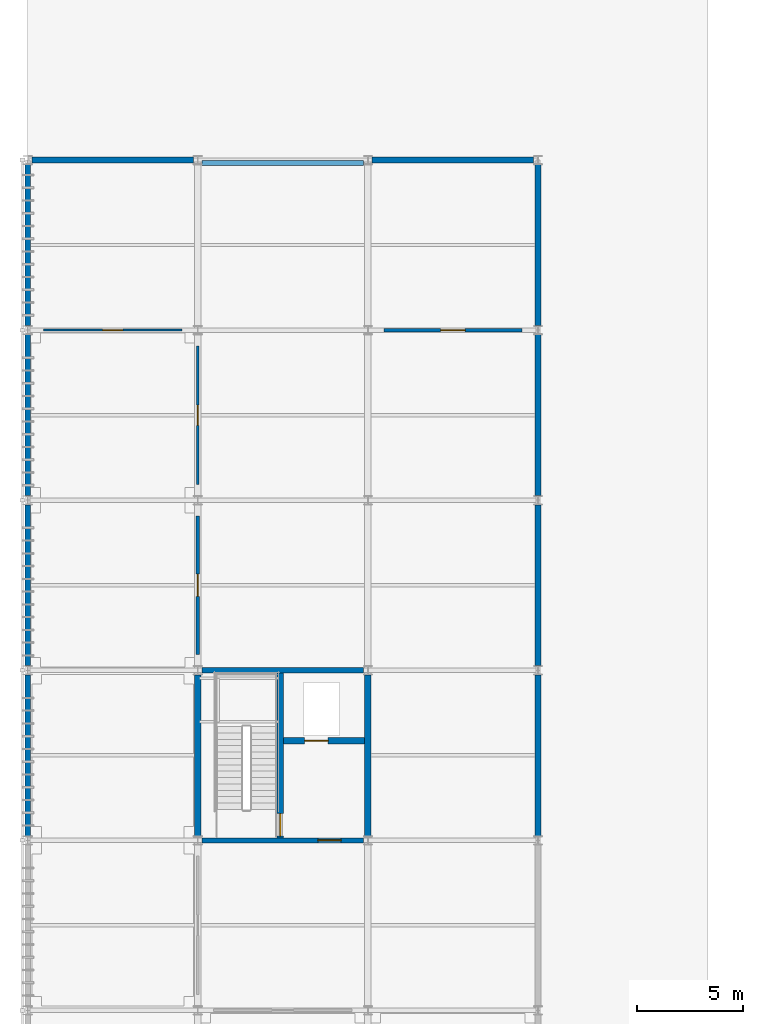
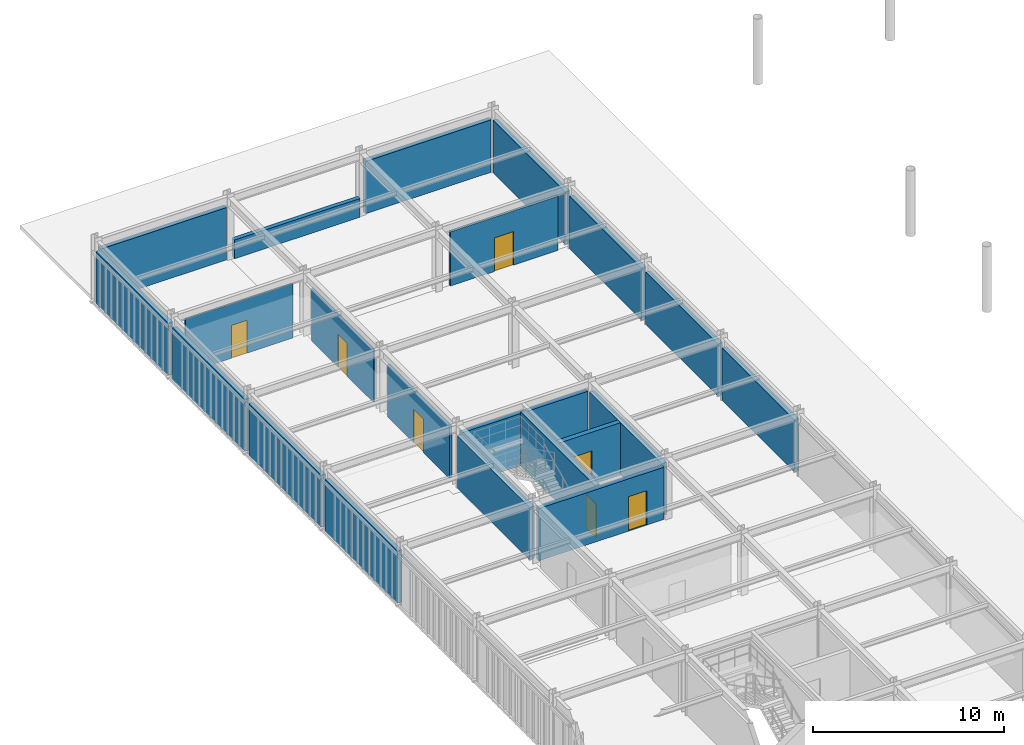
# One storey, part 44 of 54: 21 walls, 7 doors, 7 openings.
"""IFC4 building model written with IfcOpenShell, lengths in metres."""

from ifc_helpers import new_model, si_unit, direction, frame, frame_2d, origin, place, context, subcontext, project, spatial, rectangle, extrude, material, layer, layer_set, type_object, element, fill, save


model = new_model("IFC4")

# Units and contexts
model_context = context("Model", 3, precision=1e-05, world=origin(), true_north=direction((0.0, 1.0)))
body_context = subcontext(model_context, "Body", "Model", "MODEL_VIEW")
ifc_project = project(units=[si_unit("LENGTHUNIT", "METRE"), si_unit("AREAUNIT", "SQUARE_METRE"), si_unit("VOLUMEUNIT", "CUBIC_METRE"), si_unit("PLANEANGLEUNIT", "RADIAN"), si_unit("MASSUNIT", "GRAM", prefix="KILO")], contexts=[model_context])

# Site, building, storey
site_placement = place(None, origin())
site = spatial("IfcSite", under=ifc_project, at=site_placement, CompositionType="ELEMENT")
building_placement = place(site_placement, origin())
building = spatial("IfcBuilding", under=site, at=building_placement, Name="Haebicheon Civic Stadium", CompositionType="ELEMENT")
storey_placement = place(building_placement, frame((0.0, 0.0, 22.800048828125)))
storey = spatial("IfcBuildingStorey", under=building, at=storey_placement, Name="L06", CompositionType="ELEMENT", Elevation=22.800048828125)

# Wall, opening, door
ifc_material_1 = material(Name="Concrete C40/50", Category="concrete")
ifc_layer_1 = layer(ifc_material_1, 0.239990234375, Name="Concrete C40/50")
ifc_layer_set_1 = layer_set([ifc_layer_1], Name="Concrete C40/50")
wall_type_1 = type_object("IfcWallType", Name="CW-SHR-240", PredefinedType="SHEAR", material=ifc_layer_set_1)
wall_1_placement = place(storey_placement, frame((32.2041015625, 104.0, 0.0), z_axis=(0.0, 0.0, 1.0), x_axis=(1.0, 0.0, 0.0)))
wall_1 = element("IfcWall", 1, at=wall_1_placement, inside=storey, type_object=wall_type_1, material=ifc_layer_set_1, Name="KC-04 L06 south core shear wall", PredefinedType="SHEAR", context=body_context, shape_type="SweptSolid", body=[
    extrude(rectangle(XDim=7.591796875, YDim=0.239990234375, at=frame_2d((3.7958984375, 0.0))), origin(), (0.0, 0.0, 1.0), 3.33984375),
])
opening_1_placement = place(wall_1_placement, frame((5.44189453125, 0.0, 0.0)))
opening_1 = element("IfcOpeningElement", 2, at=opening_1_placement, cuts=wall_1, Name="Opening D-L06-KC-04-LOB", PredefinedType="OPENING", context=body_context, shape_type="SweptSolid", body=[
    extrude(rectangle(XDim=1.10009765625, YDim=2.199951171875, at=frame_2d((0.550048828125, 1.10009765625))), frame((0.0, 0.1298828125, 0.0), z_axis=(0.0, -1.0, 0.0), x_axis=(1.0, 0.0, 0.0)), (0.0, 0.0, 1.0), 0.260009765625),
])
ifc_material_2 = material(Name="Galvanised painted steel SM355", Category="steel")
door_type_1 = type_object("IfcDoorType", Name="ID-FD-1100", OperationType="NOTDEFINED", PredefinedType="DOOR", material=ifc_material_2)
door_1_placement = place(opening_1_placement, origin())
door_1 = element("IfcDoor", 3, at=door_1_placement, inside=storey, type_object=door_type_1, material=ifc_material_2, Name="L06 KC-04 lobby fire door", OperationType="SINGLE_SWING_RIGHT", OverallHeight=2.199951171875, OverallWidth=1.10009765625, PredefinedType="DOOR", context=body_context, shape_type="SweptSolid", body=[
    extrude(rectangle(XDim=1.10009765625, YDim=2.199951171875, at=frame_2d((0.550048828125, 1.10009765625))), frame((0.0, 0.02490234375, 0.0), z_axis=(0.0, -1.0, 0.0), x_axis=(1.0, 0.0, 0.0)), (0.0, 0.0, 1.0), 0.050048828125),
])
fill(opening_1, door_1)

# Walls
wall_2_placement = place(storey_placement, frame((32.2041015625, 112.0, 0.0), z_axis=(0.0, 0.0, 1.0), x_axis=(1.0, 0.0, 0.0)))
element("IfcWall", 4, at=wall_2_placement, inside=storey, type_object=wall_type_1, material=ifc_layer_set_1, Name="KC-04 L06 north core shear wall", PredefinedType="SHEAR", context=body_context, shape_type="SweptSolid", body=[
    extrude(rectangle(XDim=7.591796875, YDim=0.239990234375, at=frame_2d((3.7958984375, 0.0))), origin(), (0.0, 0.0, 1.0), 3.33984375),
])
ifc_material_3 = material(Name="Concrete C40/50", Category="concrete")
ifc_layer_2 = layer(ifc_material_3, 0.300048828125, Name="Concrete C40/50")
ifc_layer_set_2 = layer_set([ifc_layer_2], Name="Concrete C40/50")
wall_type_2 = type_object("IfcWallType", Name="CW-SHR-300", PredefinedType="SHEAR", material=ifc_layer_set_2)
for number, where, z_axis, x_axis, name in (
    (5, (32.0, 104.214111328125, 0.0), (0.0, 0.0, 1.0), (0.0, 1.0, 0.0), "KC-04 L06 west core shear wall"),
    (6, (40.0, 104.214111328125, 0.0), (0.0, 0.0, 1.0), (0.0, 1.0, 0.0), "KC-04 L06 east core shear wall"),
):
    element("IfcWall", number, at=place(storey_placement, frame(where, z_axis=z_axis, x_axis=x_axis)), inside=storey, type_object=wall_type_2, material=ifc_layer_set_2, Name=name, PredefinedType="SHEAR", context=body_context, shape_type="SweptSolid", body=[
        extrude(rectangle(XDim=7.57177734375, YDim=0.300048828125, at=frame_2d((3.785888671875, 0.0))), origin(), (0.0, 0.0, 1.0), 3.33984375),
    ])

# Wall, opening, door
wall_3_placement = place(storey_placement, frame((35.8798828125, 104.1201171875, 0.0), z_axis=(0.0, 0.0, 1.0), x_axis=(0.0, 1.0, 0.0)))
wall_3 = element("IfcWall", 7, at=wall_3_placement, inside=storey, type_object=wall_type_2, material=ifc_layer_set_2, Name="KC-04 L06 stair-lobby dividing shear wall", PredefinedType="SHEAR", context=body_context, shape_type="SweptSolid", body=[
    extrude(rectangle(XDim=7.759765625, YDim=0.300048828125, at=frame_2d((3.8798828125, 0.0))), origin(), (0.0, 0.0, 1.0), 3.43994140625),
])
opening_2_placement = place(wall_3_placement, frame((0.080078125, 0.0, 0.0)))
opening_2 = element("IfcOpeningElement", 8, at=opening_2_placement, cuts=wall_3, Name="Opening D-L06-KC-04-STR", PredefinedType="OPENING", context=body_context, shape_type="SweptSolid", body=[
    extrude(rectangle(XDim=1.050048828125, YDim=2.14990234375, at=frame_2d((0.52490234375, 1.074951171875))), frame((0.0, 0.159912109375, 0.0), z_axis=(0.0, -1.0, 0.0), x_axis=(1.0, 0.0, 0.0)), (0.0, 0.0, 1.0), 0.320068359375),
])
ifc_material_4 = material(Name="Galvanised painted steel SM355", Category="steel")
door_type_2 = type_object("IfcDoorType", Name="ID-FD-1050", OperationType="NOTDEFINED", PredefinedType="DOOR", material=ifc_material_4)
door_2_placement = place(opening_2_placement, origin())
door_2 = element("IfcDoor", 9, at=door_2_placement, inside=storey, type_object=door_type_2, material=ifc_material_4, Name="L06 ST-04 stairwell escape door", OperationType="SINGLE_SWING_LEFT", OverallHeight=2.14990234375, OverallWidth=1.050048828125, PredefinedType="DOOR", context=body_context, shape_type="SweptSolid", body=[
    extrude(rectangle(XDim=1.050048828125, YDim=2.14990234375, at=frame_2d((0.52490234375, 1.074951171875))), frame((0.0, 0.02490234375, 0.0), z_axis=(0.0, -1.0, 0.0), x_axis=(1.0, 0.0, 0.0)), (0.0, 0.0, 1.0), 0.050048828125),
])
fill(opening_2, door_2)

wall_4_placement = place(storey_placement, frame((36.030029296875, 108.679931640625, 0.0), z_axis=(0.0, 0.0, 1.0), x_axis=(1.0, 0.0, 0.0)))
wall_4 = element("IfcWall", 10, at=wall_4_placement, inside=storey, type_object=wall_type_2, material=ifc_layer_set_2, Name="KC-04 L06 lift shaft front wall", PredefinedType="SHEAR", context=body_context, shape_type="SweptSolid", body=[
    extrude(rectangle(XDim=3.820068359375, YDim=0.300048828125, at=frame_2d((1.91015625, 0.0))), origin(), (0.0, 0.0, 1.0), 3.33984375),
])
opening_3_placement = place(wall_4_placement, frame((1.0, 0.0, 0.0)))
opening_3 = element("IfcOpeningElement", 11, at=opening_3_placement, cuts=wall_4, Name="Opening LD-04-L06", PredefinedType="OPENING", context=body_context, shape_type="SweptSolid", body=[
    extrude(rectangle(XDim=1.10009765625, YDim=2.14990234375, at=frame_2d((0.550048828125, 1.074951171875))), frame((0.0, 0.159912109375, 0.0), z_axis=(0.0, -1.0, 0.0), x_axis=(1.0, 0.0, 0.0)), (0.0, 0.0, 1.0), 0.320068359375),
])
ifc_material_5 = material(Name="Stainless steel 316", Category="steel")
door_type_3 = type_object("IfcDoorType", Name="ID-LD-1100", OperationType="NOTDEFINED", PredefinedType="DOOR", material=ifc_material_5)
door_3_placement = place(opening_3_placement, origin())
door_3 = element("IfcDoor", 12, at=door_3_placement, inside=storey, type_object=door_type_3, material=ifc_material_5, Name="LF-04 lift landing sliding door L06", OperationType="SLIDING_TO_LEFT", OverallHeight=2.14990234375, OverallWidth=1.10009765625, PredefinedType="DOOR", context=body_context, shape_type="SweptSolid", body=[
    extrude(rectangle(XDim=1.10009765625, YDim=2.14990234375, at=frame_2d((0.550048828125, 1.074951171875))), frame((0.0, 0.02490234375, 0.0), z_axis=(0.0, -1.0, 0.0), x_axis=(1.0, 0.0, 0.0)), (0.0, 0.0, 1.0), 0.050048828125),
])
fill(opening_3, door_3)

# Walls
ifc_material_6 = material(Name="Precast concrete C40/50", Category="concrete")
ifc_layer_3 = layer(ifc_material_6, 0.280029296875, Name="Precast concrete C40/50")
ifc_layer_set_3 = layer_set([ifc_layer_3], Name="Precast concrete C40/50")
wall_type_3 = type_object("IfcWallType", Name="EW-BM-280", PredefinedType="SOLIDWALL", material=ifc_layer_set_3)
for number, where, z_axis, x_axis, name in (
    (13, (24.0, 104.214111328125, 0.0), (0.0, 0.0, 1.0), (0.0, 1.0, 0.0), "L06 board-marked concrete facade wall 03-13-W"),
    (14, (24.0, 112.214111328125, 0.0), (0.0, 0.0, 1.0), (0.0, 1.0, 0.0), "L06 board-marked concrete facade wall 03-14-W"),
    (15, (24.0, 120.214111328125, 0.0), (0.0, 0.0, 1.0), (0.0, 1.0, 0.0), "L06 board-marked concrete facade wall 03-15-W"),
):
    element("IfcWall", number, at=place(storey_placement, frame(where, z_axis=z_axis, x_axis=x_axis)), inside=storey, type_object=wall_type_3, material=ifc_layer_set_3, Name=name, PredefinedType="SOLIDWALL", context=body_context, shape_type="SweptSolid", body=[
        extrude(rectangle(XDim=7.57177734375, YDim=0.280029296875, at=frame_2d((3.785888671875, 0.0))), origin(), (0.0, 0.0, 1.0), 3.33984375),
    ])
wall_5_placement = place(storey_placement, frame((24.2041015625, 136.0, 0.0), z_axis=(0.0, 0.0, 1.0), x_axis=(1.0, 0.0, 0.0)))
element("IfcWall", 16, at=wall_5_placement, inside=storey, type_object=wall_type_3, material=ifc_layer_set_3, Name="L06 board-marked concrete facade wall 03-17-N", PredefinedType="SOLIDWALL", context=body_context, shape_type="SweptSolid", body=[
    extrude(rectangle(XDim=7.591796875, YDim=0.280029296875, at=frame_2d((3.7958984375, 0.0))), origin(), (0.0, 0.0, 1.0), 3.349853515625),
])
wall_6_placement = place(storey_placement, frame((24.0, 128.214111328125, 0.0), z_axis=(0.0, 0.0, 1.0), x_axis=(0.0, 1.0, 0.0)))
element("IfcWall", 17, at=wall_6_placement, inside=storey, type_object=wall_type_3, material=ifc_layer_set_3, Name="L06 board-marked concrete facade wall 03-16-W", PredefinedType="SOLIDWALL", context=body_context, shape_type="SweptSolid", body=[
    extrude(rectangle(XDim=7.57177734375, YDim=0.280029296875, at=frame_2d((3.785888671875, 0.0))), origin(), (0.0, 0.0, 1.0), 3.349853515625),
])
for number, where, z_axis, x_axis, name in (
    (18, (48.0, 104.214111328125, 0.0), (0.0, 0.0, 1.0), (0.0, 1.0, 0.0), "L06 board-marked concrete facade wall 06-13-E"),
    (19, (48.0, 112.214111328125, 0.0), (0.0, 0.0, 1.0), (0.0, 1.0, 0.0), "L06 board-marked concrete facade wall 06-14-E"),
    (20, (48.0, 120.214111328125, 0.0), (0.0, 0.0, 1.0), (0.0, 1.0, 0.0), "L06 board-marked concrete facade wall 06-15-E"),
):
    element("IfcWall", number, at=place(storey_placement, frame(where, z_axis=z_axis, x_axis=x_axis)), inside=storey, type_object=wall_type_3, material=ifc_layer_set_3, Name=name, PredefinedType="SOLIDWALL", context=body_context, shape_type="SweptSolid", body=[
        extrude(rectangle(XDim=7.57177734375, YDim=0.280029296875, at=frame_2d((3.785888671875, 0.0))), origin(), (0.0, 0.0, 1.0), 3.33984375),
    ])
wall_7_placement = place(storey_placement, frame((40.2041015625, 136.0, 0.0), z_axis=(0.0, 0.0, 1.0), x_axis=(1.0, 0.0, 0.0)))
element("IfcWall", 21, at=wall_7_placement, inside=storey, type_object=wall_type_3, material=ifc_layer_set_3, Name="L06 board-marked concrete facade wall 05-17-N", PredefinedType="SOLIDWALL", context=body_context, shape_type="SweptSolid", body=[
    extrude(rectangle(XDim=7.591796875, YDim=0.280029296875, at=frame_2d((3.7958984375, 0.0))), origin(), (0.0, 0.0, 1.0), 3.349853515625),
])
wall_8_placement = place(storey_placement, frame((48.0, 128.214111328125, 0.0), z_axis=(0.0, 0.0, 1.0), x_axis=(0.0, 1.0, 0.0)))
element("IfcWall", 22, at=wall_8_placement, inside=storey, type_object=wall_type_3, material=ifc_layer_set_3, Name="L06 board-marked concrete facade wall 06-16-E", PredefinedType="SOLIDWALL", context=body_context, shape_type="SweptSolid", body=[
    extrude(rectangle(XDim=7.57177734375, YDim=0.280029296875, at=frame_2d((3.785888671875, 0.0))), origin(), (0.0, 0.0, 1.0), 3.349853515625),
])
ifc_material_7 = material(Name="Precast concrete C40/50", Category="concrete")
ifc_layer_4 = layer(ifc_material_7, 0.25, Name="Precast concrete C40/50")
ifc_layer_set_4 = layer_set([ifc_layer_4], Name="Precast concrete C40/50")
wall_type_4 = type_object("IfcWallType", Name="EW-PAR-250", PredefinedType="PARAPET", material=ifc_layer_set_4)
wall_9_placement = place(storey_placement, frame((32.2041015625, 135.860107421875, 0.0), z_axis=(0.0, 0.0, 1.0), x_axis=(1.0, 0.0, 0.0)))
element("IfcWall", 23, at=wall_9_placement, inside=storey, type_object=wall_type_4, material=ifc_layer_set_4, Name="L06 setback roof parapet 04-16", PredefinedType="PARAPET", context=body_context, shape_type="SweptSolid", body=[
    extrude(rectangle(XDim=7.591796875, YDim=0.25, at=frame_2d((3.7958984375, 0.0))), origin(), (0.0, 0.0, 1.0), 1.199951171875),
])

# Wall, opening, door
ifc_material_8 = material(Name="Anodised aluminium and laminated glass", Category="aluminium")
ifc_layer_5 = layer(ifc_material_8, 0.10009765625, Name="Anodised aluminium and laminated glass")
ifc_layer_set_5 = layer_set([ifc_layer_5], Name="Anodised aluminium and laminated glass")
wall_type_5 = type_object("IfcWallType", Name="IW-PRT-100", PredefinedType="PARTITIONING", material=ifc_layer_set_5)
wall_10_placement = place(storey_placement, frame((24.75, 128.0, 0.0), z_axis=(0.0, 0.0, 1.0), x_axis=(1.0, 0.0, 0.0)))
wall_10 = element("IfcWall", 24, at=wall_10_placement, inside=storey, type_object=wall_type_5, material=ifc_layer_set_5, Name="L06 Stadium Operations Control Centre partition wall", PredefinedType="PARTITIONING", context=body_context, shape_type="SweptSolid", body=[
    extrude(rectangle(XDim=6.5, YDim=0.10009765625, at=frame_2d((3.25, 0.0))), origin(), (0.0, 0.0, 1.0), 3.469970703125),
])
opening_4_placement = place(wall_10_placement, frame((2.77490234375, 0.0, 0.0)))
opening_4 = element("IfcOpeningElement", 25, at=opening_4_placement, cuts=wall_10, Name="Opening D-L06-453", PredefinedType="OPENING", context=body_context, shape_type="SweptSolid", body=[
    extrude(rectangle(XDim=0.949951171875, YDim=2.10009765625, at=frame_2d((0.47509765625, 1.050048828125))), frame((0.0, 0.06005859375, 0.0), z_axis=(0.0, -1.0, 0.0), x_axis=(1.0, 0.0, 0.0)), (0.0, 0.0, 1.0), 0.1201171875),
])
ifc_material_9 = material(Name="Engineered hardwood timber", Category="wood")
door_type_4 = type_object("IfcDoorType", Name="ID-RM-0950", OperationType="NOTDEFINED", PredefinedType="DOOR", material=ifc_material_9)
door_4_placement = place(opening_4_placement, origin())
door_4 = element("IfcDoor", 26, at=door_4_placement, inside=storey, type_object=door_type_4, material=ifc_material_9, Name="L06 Stadium Operations Control Centre entrance door D-L06-453", OperationType="SINGLE_SWING_RIGHT", OverallHeight=2.10009765625, OverallWidth=0.949951171875, PredefinedType="DOOR", context=body_context, shape_type="SweptSolid", body=[
    extrude(rectangle(XDim=0.949951171875, YDim=2.10009765625, at=frame_2d((0.47509765625, 1.050048828125))), frame((0.0, 0.02490234375, 0.0), z_axis=(0.0, -1.0, 0.0), x_axis=(1.0, 0.0, 0.0)), (0.0, 0.0, 1.0), 0.050048828125),
])
fill(opening_4, door_4)

wall_11_placement = place(storey_placement, frame((32.0, 120.75, 0.0), z_axis=(0.0, 0.0, 1.0), x_axis=(0.0, 1.0, 0.0)))
wall_11 = element("IfcWall", 27, at=wall_11_placement, inside=storey, type_object=wall_type_5, material=ifc_layer_set_5, Name="L06 Event Security Command Room partition wall", PredefinedType="PARTITIONING", context=body_context, shape_type="SweptSolid", body=[
    extrude(rectangle(XDim=6.5, YDim=0.10009765625, at=frame_2d((3.25, 0.0))), origin(), (0.0, 0.0, 1.0), 3.369873046875),
])
opening_5_placement = place(wall_11_placement, frame((2.77490234375, 0.0, 0.0)))
opening_5 = element("IfcOpeningElement", 28, at=opening_5_placement, cuts=wall_11, Name="Opening D-L06-459", PredefinedType="OPENING", context=body_context, shape_type="SweptSolid", body=[
    extrude(rectangle(XDim=0.949951171875, YDim=2.10009765625, at=frame_2d((0.47509765625, 1.050048828125))), frame((0.0, 0.06005859375, 0.0), z_axis=(0.0, -1.0, 0.0), x_axis=(1.0, 0.0, 0.0)), (0.0, 0.0, 1.0), 0.1201171875),
])
door_5_placement = place(opening_5_placement, origin())
door_5 = element("IfcDoor", 29, at=door_5_placement, inside=storey, type_object=door_type_4, material=ifc_material_9, Name="L06 Event Security Command Room entrance door D-L06-459", OperationType="SINGLE_SWING_LEFT", OverallHeight=2.10009765625, OverallWidth=0.949951171875, PredefinedType="DOOR", context=body_context, shape_type="SweptSolid", body=[
    extrude(rectangle(XDim=0.949951171875, YDim=2.10009765625, at=frame_2d((0.47509765625, 1.050048828125))), frame((0.0, 0.02490234375, 0.0), z_axis=(0.0, -1.0, 0.0), x_axis=(1.0, 0.0, 0.0)), (0.0, 0.0, 1.0), 0.050048828125),
])
fill(opening_5, door_5)

ifc_material_10 = material(Name="Gypsum plasterboard on steel studs", Category="gypsum")
ifc_layer_6 = layer(ifc_material_10, 0.14990234375, Name="Gypsum plasterboard on steel studs")
ifc_layer_set_6 = layer_set([ifc_layer_6], Name="Gypsum plasterboard on steel studs")
wall_type_6 = type_object("IfcWallType", Name="IW-PRT-150", PredefinedType="PARTITIONING", material=ifc_layer_set_6)
wall_12_placement = place(storey_placement, frame((32.0, 112.75, 0.0), z_axis=(0.0, 0.0, 1.0), x_axis=(0.0, 1.0, 0.0)))
wall_12 = element("IfcWall", 30, at=wall_12_placement, inside=storey, type_object=wall_type_6, material=ifc_layer_set_6, Name="L06 Sky-Box Hospitality Suite partition wall", PredefinedType="PARTITIONING", context=body_context, shape_type="SweptSolid", body=[
    extrude(rectangle(XDim=6.5, YDim=0.14990234375, at=frame_2d((3.25, 0.0))), origin(), (0.0, 0.0, 1.0), 3.33984375),
])
opening_6_placement = place(wall_12_placement, frame((2.72509765625, 0.0, 0.0)))
opening_6 = element("IfcOpeningElement", 31, at=opening_6_placement, cuts=wall_12, Name="Opening D-L06-452", PredefinedType="OPENING", context=body_context, shape_type="SweptSolid", body=[
    extrude(rectangle(XDim=1.050048828125, YDim=2.14990234375, at=frame_2d((0.52490234375, 1.074951171875))), frame((0.0, 0.0849609375, 0.0), z_axis=(0.0, -1.0, 0.0), x_axis=(1.0, 0.0, 0.0)), (0.0, 0.0, 1.0), 0.169921875),
])
ifc_material_11 = material(Name="Engineered hardwood timber", Category="wood")
door_type_5 = type_object("IfcDoorType", Name="ID-RM-1050", OperationType="NOTDEFINED", PredefinedType="DOOR", material=ifc_material_11)
door_6_placement = place(opening_6_placement, origin())
door_6 = element("IfcDoor", 32, at=door_6_placement, inside=storey, type_object=door_type_5, material=ifc_material_11, Name="L06 Sky-Box Hospitality Suite entrance door D-L06-452", OperationType="SINGLE_SWING_LEFT", OverallHeight=2.14990234375, OverallWidth=1.050048828125, PredefinedType="DOOR", context=body_context, shape_type="SweptSolid", body=[
    extrude(rectangle(XDim=1.050048828125, YDim=2.14990234375, at=frame_2d((0.52490234375, 1.074951171875))), frame((0.0, 0.02490234375, 0.0), z_axis=(0.0, -1.0, 0.0), x_axis=(1.0, 0.0, 0.0)), (0.0, 0.0, 1.0), 0.050048828125),
])
fill(opening_6, door_6)

wall_13_placement = place(storey_placement, frame((40.75, 128.0, 0.0), z_axis=(0.0, 0.0, 1.0), x_axis=(1.0, 0.0, 0.0)))
wall_13 = element("IfcWall", 33, at=wall_13_placement, inside=storey, type_object=wall_type_6, material=ifc_layer_set_6, Name="L06 Public Address and Lighting Control Studio partition wall", PredefinedType="PARTITIONING", context=body_context, shape_type="SweptSolid", body=[
    extrude(rectangle(XDim=6.5, YDim=0.14990234375, at=frame_2d((3.25, 0.0))), origin(), (0.0, 0.0, 1.0), 3.469970703125),
])
opening_7_placement = place(wall_13_placement, frame((2.675048828125, 0.0, 0.0)))
opening_7 = element("IfcOpeningElement", 34, at=opening_7_placement, cuts=wall_13, Name="Opening D-L06-460", PredefinedType="OPENING", context=body_context, shape_type="SweptSolid", body=[
    extrude(rectangle(XDim=1.14990234375, YDim=2.14990234375, at=frame_2d((0.574951171875, 1.074951171875))), frame((0.0, 0.0849609375, 0.0), z_axis=(0.0, -1.0, 0.0), x_axis=(1.0, 0.0, 0.0)), (0.0, 0.0, 1.0), 0.169921875),
])
ifc_material_12 = material(Name="Engineered hardwood timber", Category="wood")
door_type_6 = type_object("IfcDoorType", Name="ID-RM-1150", OperationType="NOTDEFINED", PredefinedType="DOOR", material=ifc_material_12)
door_7_placement = place(opening_7_placement, origin())
door_7 = element("IfcDoor", 35, at=door_7_placement, inside=storey, type_object=door_type_6, material=ifc_material_12, Name="L06 Public Address and Lighting Control Studio entrance door D-L06-460", OperationType="SINGLE_SWING_RIGHT", OverallHeight=2.14990234375, OverallWidth=1.14990234375, PredefinedType="DOOR", context=body_context, shape_type="SweptSolid", body=[
    extrude(rectangle(XDim=1.14990234375, YDim=2.14990234375, at=frame_2d((0.574951171875, 1.074951171875))), frame((0.0, 0.02490234375, 0.0), z_axis=(0.0, -1.0, 0.0), x_axis=(1.0, 0.0, 0.0)), (0.0, 0.0, 1.0), 0.050048828125),
])
fill(opening_7, door_7)

save(model, "model.ifc")
